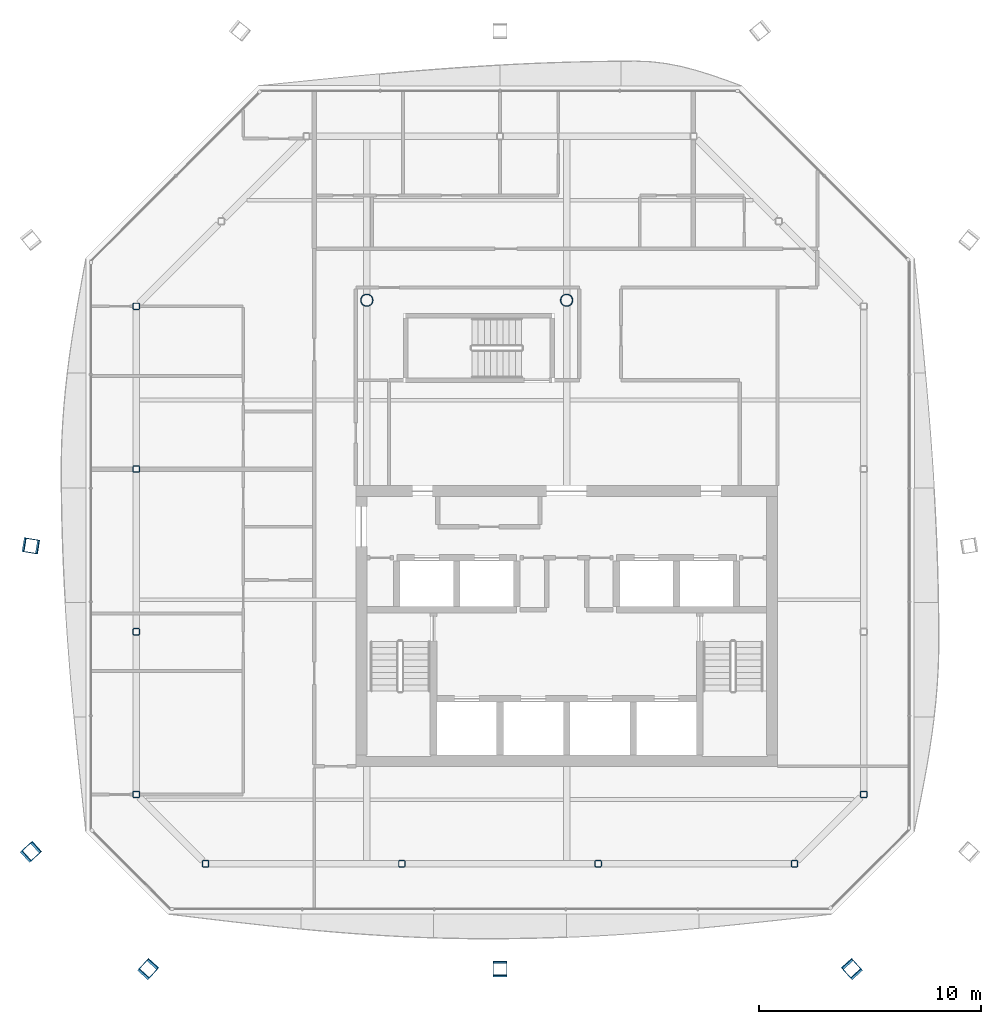
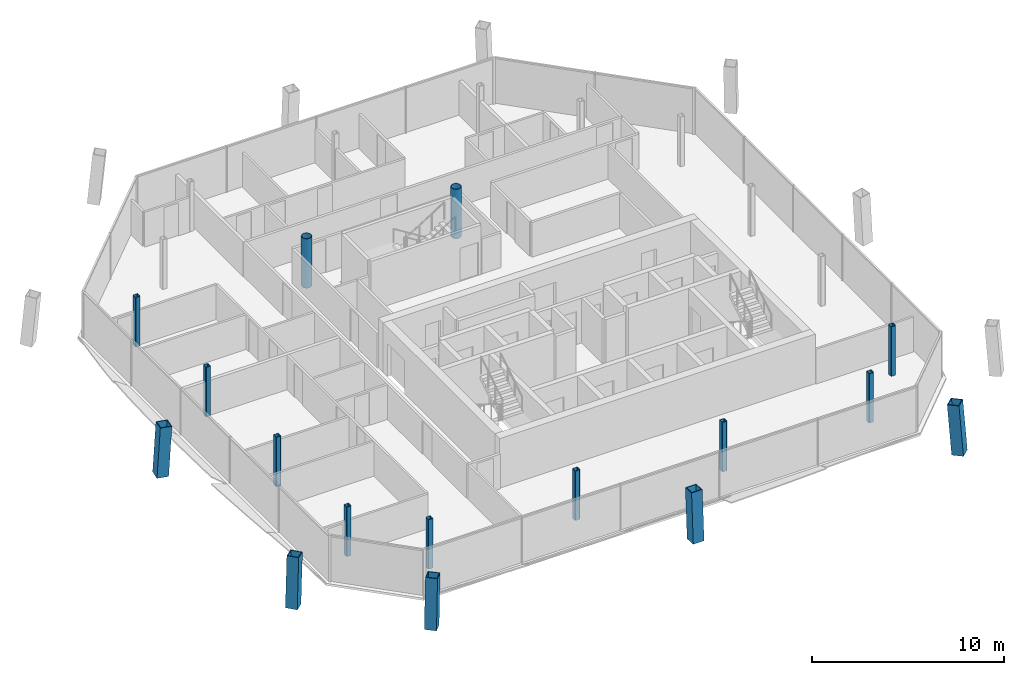
# One storey, part 1 of 17: 16 columns.
"""IFC4 building model written with IfcOpenShell, lengths in metres."""

from ifc_helpers import new_model, si_unit, direction, frame, origin, origin_2d, place, context, subcontext, project, spatial, hollow_rectangle, hollow_circle, extrude, material, material_profile, profile_set, type_object, element, save


model = new_model("IFC4")

# Units and contexts
model_context = context("Model", 3, precision=1e-05, world=origin(), true_north=direction((0.0, 1.0)))
body_context = subcontext(model_context, "Body", "Model", "MODEL_VIEW")
ifc_project = project(units=[si_unit("LENGTHUNIT", "METRE"), si_unit("AREAUNIT", "SQUARE_METRE"), si_unit("VOLUMEUNIT", "CUBIC_METRE"), si_unit("PLANEANGLEUNIT", "RADIAN"), si_unit("MASSUNIT", "GRAM", prefix="KILO")], contexts=[model_context])

# Site, building, storey
site_placement = place(None, origin())
site = spatial("IfcSite", under=ifc_project, at=site_placement, CompositionType="ELEMENT")
building_placement = place(site_placement, origin())
building = spatial("IfcBuilding", under=site, at=building_placement, Name="Tskaro Facet Tower", CompositionType="ELEMENT")
storey_placement = place(building_placement, frame((0.0, 0.0, 232.949951171875)))
storey = spatial("IfcBuildingStorey", under=building, at=storey_placement, Name="L60", CompositionType="ELEMENT", Elevation=232.949951171875)

# Columns
ifc_material_1 = material(Name="Steel S355J2", Category="steel")
ifc_material_profile_1 = material_profile(ifc_material_1, hollow_rectangle(XDim=0.64990234375, YDim=0.64990234375, WallThickness=0.0400390625, at=origin_2d()), Name="BOX 650x650x40")
ifc_profile_set_1 = profile_set([ifc_material_profile_1], Name="Steel S355J2")
column_type_1 = type_object("IfcColumnType", Name="BOX 650x650x40 mega column", PredefinedType="COLUMN", material=ifc_profile_set_1)
column_1_placement = place(storey_placement, frame((-18.885986328125, -21.172119140625, 0.0), z_axis=(0.052539453395, 0.057947926538, 0.996936128168), x_axis=(-0.74083333658, 0.671688891833, 0.0)))
element("IfcColumn", 1, at=column_1_placement, inside=storey, type_object=column_type_1, Name="BOX 650x650x40 MC01/5", PredefinedType="COLUMN", context=body_context, shape_type="SweptSolid", body=[
    extrude(hollow_rectangle(XDim=0.64990234375, YDim=0.64990234375, WallThickness=0.0400390625, at=origin_2d()), origin(), (0.0, 0.0, 1.0), 3.159912109375),
])
column_2_placement = place(storey_placement, frame((-3.0, -21.172119140625, 0.0), z_axis=(0.0, 0.058028072061, 0.998314951733), x_axis=(-1.0, 0.0, 0.0)))
element("IfcColumn", 2, at=column_2_placement, inside=storey, type_object=column_type_1, Name="BOX 650x650x40 MC02/5", PredefinedType="COLUMN", context=body_context, shape_type="SweptSolid", body=[
    extrude(hollow_rectangle(XDim=0.64990234375, YDim=0.64990234375, WallThickness=0.0400390625, at=origin_2d()), origin(), (0.0, 0.0, 1.0), 3.155517578125),
])
column_3_placement = place(storey_placement, frame((12.885986328125, -21.172119140625, 0.0), z_axis=(-0.052539453395, 0.057947926538, 0.996936128168), x_axis=(-0.74083333658, -0.671688891833, 0.0)))
element("IfcColumn", 3, at=column_3_placement, inside=storey, type_object=column_type_1, Name="BOX 650x650x40 MC03/5", PredefinedType="COLUMN", context=body_context, shape_type="SweptSolid", body=[
    extrude(hollow_rectangle(XDim=0.64990234375, YDim=0.64990234375, WallThickness=0.0400390625, at=origin_2d()), origin(), (0.0, 0.0, 1.0), 3.159912109375),
])
column_4_placement = place(storey_placement, frame((-24.172119140625, -2.06201171875, 0.0), z_axis=(0.058025444561, -0.009516172908, 0.998269748233), x_axis=(0.161838042552, 0.986817332632, 0.0)))
element("IfcColumn", 4, at=column_4_placement, inside=storey, type_object=column_type_1, Name="BOX 650x650x40 MC11/5", PredefinedType="COLUMN", context=body_context, shape_type="SweptSolid", body=[
    extrude(hollow_rectangle(XDim=0.64990234375, YDim=0.64990234375, WallThickness=0.0400390625, at=origin_2d()), origin(), (0.0, 0.0, 1.0), 3.155517578125),
])
column_5_placement = place(storey_placement, frame((-24.172119140625, -15.885986328125, 0.0), z_axis=(0.057947926538, 0.052539453395, 0.996936128168), x_axis=(-0.671688891833, 0.74083333658, 0.0)))
element("IfcColumn", 5, at=column_5_placement, inside=storey, type_object=column_type_1, Name="BOX 650x650x40 MC12/5", PredefinedType="COLUMN", context=body_context, shape_type="SweptSolid", body=[
    extrude(hollow_rectangle(XDim=0.64990234375, YDim=0.64990234375, WallThickness=0.0400390625, at=origin_2d()), origin(), (0.0, 0.0, 1.0), 3.159912109375),
])
ifc_material_2 = material(Name="Steel S355J2H", Category="steel")
ifc_material_profile_2 = material_profile(ifc_material_2, hollow_circle(Radius=0.279541015625, WallThickness=0.02490234375, at=origin_2d()), Name="CHS 559x25")
ifc_profile_set_2 = profile_set([ifc_material_profile_2], Name="Steel S355J2H")
column_type_2 = type_object("IfcColumnType", Name="CHS 559x25 interior column", PredefinedType="COLUMN", material=ifc_profile_set_2)
for number, where, z_axis, x_axis, name in (
    (6, (-9.0, 9.0, 0.0), (0.0, 0.0, 1.0), (1.0, 0.0, 0.0), "CHS 559x25 C3E/5"),
    (7, (0.0, 9.0, 0.0), (0.0, 0.0, 1.0), (1.0, 0.0, 0.0), "CHS 559x25 C4E/5"),
):
    element("IfcColumn", number, at=place(storey_placement, frame(where, z_axis=z_axis, x_axis=x_axis)), inside=storey, type_object=column_type_2, Name=name, PredefinedType="COLUMN", context=body_context, shape_type="SweptSolid", body=[
        extrude(hollow_circle(Radius=0.279541015625, WallThickness=0.02490234375, at=origin_2d()), origin(), (0.0, 0.0, 1.0), 3.150146484375),
    ])
ifc_material_profile_3 = material_profile(ifc_material_2, hollow_rectangle(XDim=0.300048828125, YDim=0.300048828125, WallThickness=0.02001953125, InnerFilletRadius=0.030029296875, OuterFilletRadius=0.050048828125, at=origin_2d()), Name="SHS 300x300x20")
ifc_profile_set_3 = profile_set([ifc_material_profile_3], Name="Steel S355J2H")
column_type_3 = type_object("IfcColumnType", Name="SHS 300x300x20 ring column", PredefinedType="COLUMN", material=ifc_profile_set_3)
for number, where, z_axis, x_axis, name in (
    (8, (-16.26806640625, -16.39111328125, 0.0), (0.0, 0.0, 1.0), (1.0, 0.0, 0.0), "SHS 300x300x20 RS-1/5"),
    (9, (-7.423095703125, -16.39111328125, 0.0), (0.0, 0.0, 1.0), (1.0, 0.0, 0.0), "SHS 300x300x20 RS-2/5"),
    (10, (1.423095703125, -16.39111328125, 0.0), (0.0, 0.0, 1.0), (1.0, 0.0, 0.0), "SHS 300x300x20 RS-3/5"),
    (11, (10.26806640625, -16.39111328125, 0.0), (0.0, 0.0, 1.0), (1.0, 0.0, 0.0), "SHS 300x300x20 RSE-1/5"),
    (12, (13.39111328125, -13.26806640625, 0.0), (0.0, 0.0, 1.0), (1.0, 0.0, 0.0), "SHS 300x300x20 RE-1/5"),
    (13, (-19.39111328125, 8.72509765625, 0.0), (0.0, 0.0, 1.0), (1.0, 0.0, 0.0), "SHS 300x300x20 RW-1/5"),
    (14, (-19.39111328125, 1.39404296875, 0.0), (0.0, 0.0, 1.0), (1.0, 0.0, 0.0), "SHS 300x300x20 RW-2/5"),
    (15, (-19.39111328125, -5.93701171875, 0.0), (0.0, 0.0, 1.0), (1.0, 0.0, 0.0), "SHS 300x300x20 RW-3/5"),
    (16, (-19.39111328125, -13.26806640625, 0.0), (0.0, 0.0, 1.0), (1.0, 0.0, 0.0), "SHS 300x300x20 RSW-1/5"),
):
    element("IfcColumn", number, at=place(storey_placement, frame(where, z_axis=z_axis, x_axis=x_axis)), inside=storey, type_object=column_type_3, Name=name, PredefinedType="COLUMN", context=body_context, shape_type="SweptSolid", body=[
        extrude(hollow_rectangle(XDim=0.300048828125, YDim=0.300048828125, WallThickness=0.02001953125, InnerFilletRadius=0.030029296875, OuterFilletRadius=0.050048828125, at=origin_2d()), origin(), (0.0, 0.0, 1.0), 3.150146484375),
    ])

save(model, "model.ifc")
